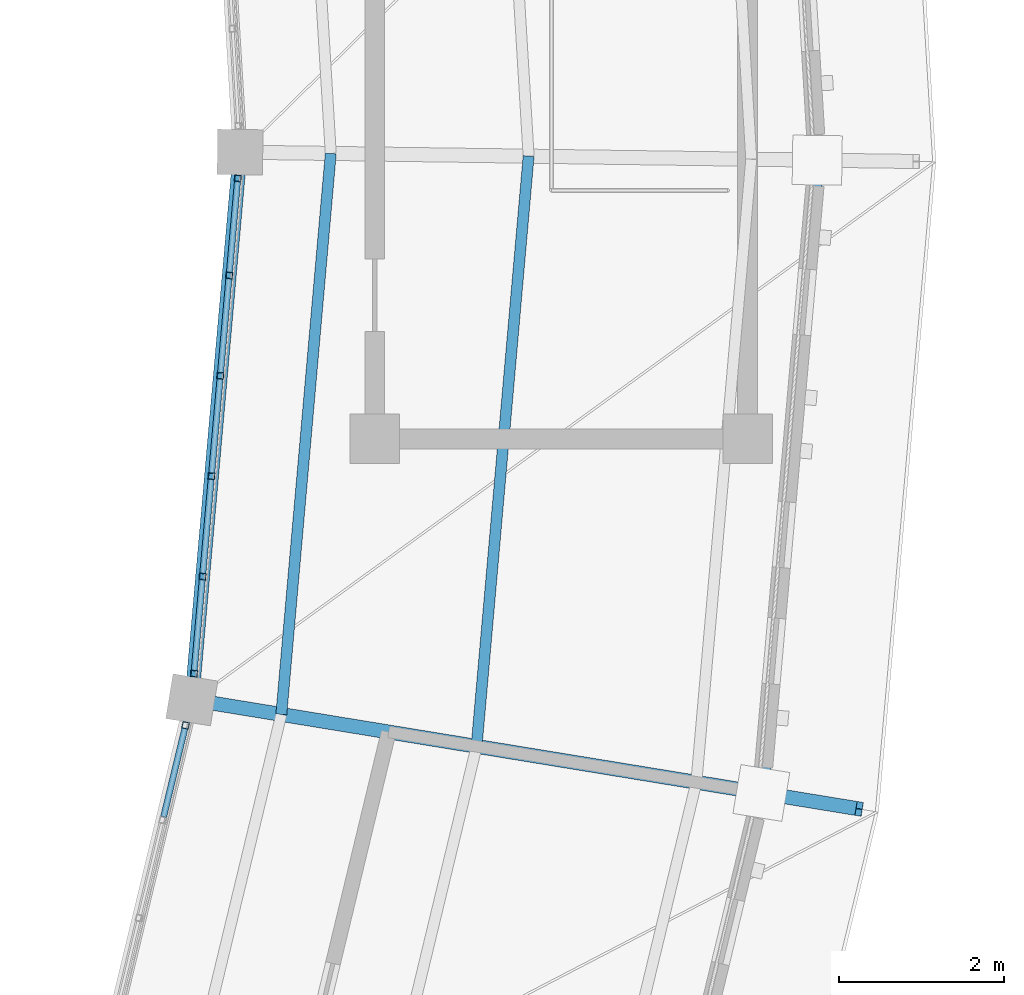
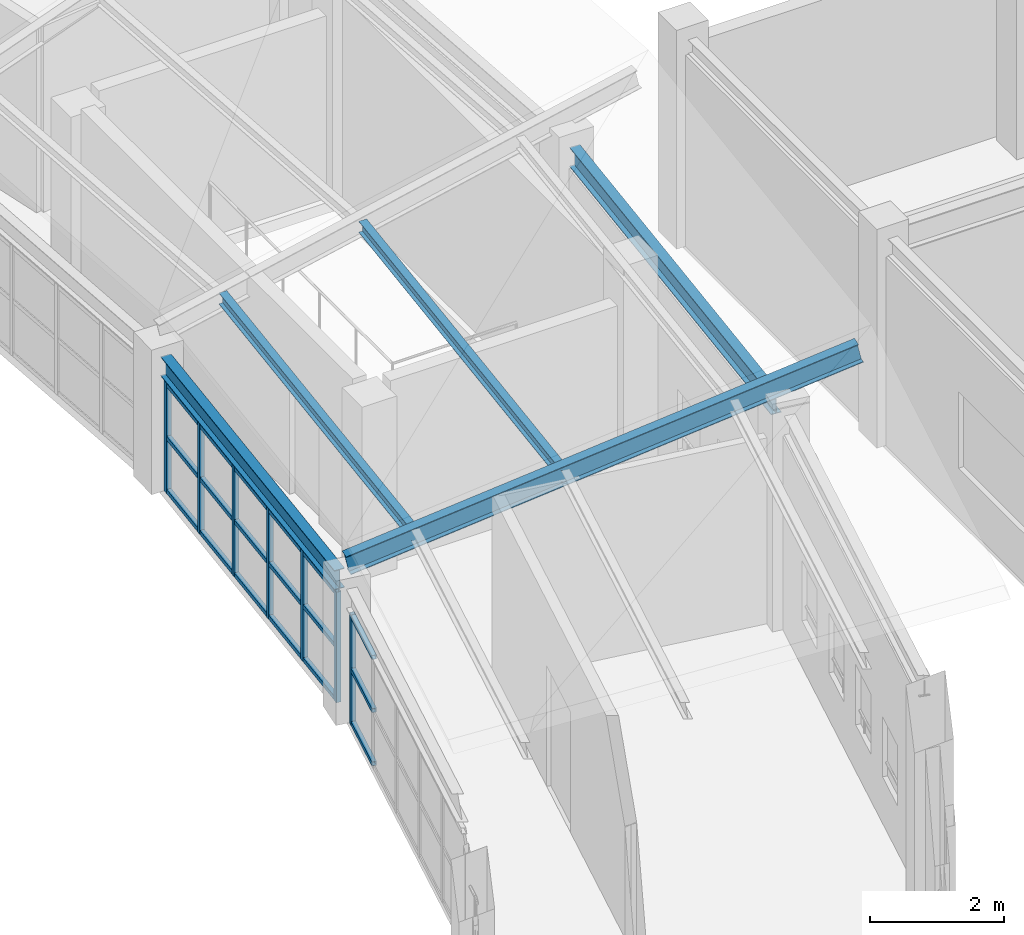
# One storey, part 92 of 149: 28 members, 2 beams, 2 elements without a shape of their own.
"""IFC4 building model written with IfcOpenShell, lengths in metres."""

from ifc_helpers import new_model, si_unit, direction, frame, origin, origin_2d, place, context, subcontext, project, spatial, hollow_rectangle, i_section, extrude, material, material_profile, profile_set, type_object, element, aggregate, save


model = new_model("IFC4")

# Units and contexts
model_context = context("Model", 3, precision=1e-05, world=origin(), true_north=direction((0.0, 1.0)))
body_context = subcontext(model_context, "Body", "Model", "MODEL_VIEW")
ifc_project = project(units=[si_unit("LENGTHUNIT", "METRE"), si_unit("AREAUNIT", "SQUARE_METRE"), si_unit("VOLUMEUNIT", "CUBIC_METRE"), si_unit("PLANEANGLEUNIT", "RADIAN"), si_unit("MASSUNIT", "GRAM", prefix="KILO")], contexts=[model_context])

# Site, building, storey
site_placement = place(None, origin())
site = spatial("IfcSite", under=ifc_project, at=site_placement, CompositionType="ELEMENT")
building_placement = place(site_placement, origin())
building = spatial("IfcBuilding", under=site, at=building_placement, Name="Celadon Cloister-Ring School", CompositionType="ELEMENT")
storey_placement = place(building_placement, frame((0.0, 0.0, 12.5)))
storey = spatial("IfcBuildingStorey", under=building, at=storey_placement, Name="L03", CompositionType="ELEMENT", Elevation=12.5)

# Curtain wall, member
ifc_material_1 = material(Name="Aluminium EN AW-6063 T6", Category="aluminium")
curtain_wall_type = type_object("IfcCurtainWallType", Name="CW-02", PredefinedType="USERDEFINED", material=ifc_material_1)
curtain_wall_1_placement = place(storey_placement, origin())
curtain_wall_1 = element("IfcCurtainWall", 1, at=curtain_wall_1_placement, inside=storey, type_object=curtain_wall_type, Name="Curtain Wall 0070", ObjectType="CURTAIN WALL", PredefinedType="USERDEFINED")
ifc_material_2 = material(Name="Aluminium EN AW-6063 T6", Category="aluminium")
ifc_material_profile_1 = material_profile(ifc_material_2, hollow_rectangle(XDim=0.080078125, YDim=0.080078125, WallThickness=0.00390625, at=origin_2d()), Name="RHS80X80X4")
ifc_profile_set_1 = profile_set([ifc_material_profile_1], Name="Aluminium EN AW-6063 T6")
member_type_1 = type_object("IfcMemberType", Name="CM-03", PredefinedType="MULLION", material=ifc_profile_set_1)
member_1_placement = place(storey_placement, frame((131.335693359375, 51.427001953125, 0.0), z_axis=(0.0, 0.0, 1.0), x_axis=(-0.972214668757, 0.234091088797, 0.0)))
member_1 = element("IfcMember", 2, at=member_1_placement, type_object=member_type_1, Name="CW-02 mullion 6", PredefinedType="MULLION", context=body_context, shape_type="SweptSolid", body=[
    extrude(hollow_rectangle(XDim=0.080078125, YDim=0.080078125, WallThickness=0.00390625, at=origin_2d()), origin(), (0.0, 0.0, 1.0), 2.02001953125),
])

# Curtain wall, members
curtain_wall_2_placement = place(storey_placement, origin())
curtain_wall_2 = element("IfcCurtainWall", 3, at=curtain_wall_2_placement, inside=storey, type_object=curtain_wall_type, Name="Curtain Wall 0071", ObjectType="CURTAIN WALL", PredefinedType="USERDEFINED")
member_2_placement = place(storey_placement, frame((131.4375, 52.054931640625, 0.0), z_axis=(0.0, 0.0, 1.0), x_axis=(-0.996114237179, 0.088070576756, 0.0)))
member_2 = element("IfcMember", 4, at=member_2_placement, type_object=member_type_1, Name="CW-02 mullion 1", PredefinedType="MULLION", context=body_context, shape_type="SweptSolid", body=[
    extrude(hollow_rectangle(XDim=0.080078125, YDim=0.080078125, WallThickness=0.00390625, at=origin_2d()), origin(), (0.0, 0.0, 1.0), 2.02001953125),
])
member_3_placement = place(storey_placement, frame((131.54150390625, 53.23193359375, 0.0), z_axis=(0.0, 0.0, 1.0), x_axis=(-0.996114237179, 0.088070576756, 0.0)))
member_3 = element("IfcMember", 5, at=member_3_placement, type_object=member_type_1, Name="CW-02 mullion 2", PredefinedType="MULLION", context=body_context, shape_type="SweptSolid", body=[
    extrude(hollow_rectangle(XDim=0.080078125, YDim=0.080078125, WallThickness=0.00390625, at=origin_2d()), origin(), (0.0, 0.0, 1.0), 2.02001953125),
])
member_4_placement = place(storey_placement, frame((131.649169921875, 54.448974609375, 0.0), z_axis=(0.0, 0.0, 1.0), x_axis=(-0.996114237179, 0.088070576756, 0.0)))
member_4 = element("IfcMember", 6, at=member_4_placement, type_object=member_type_1, Name="CW-02 mullion 3", PredefinedType="MULLION", context=body_context, shape_type="SweptSolid", body=[
    extrude(hollow_rectangle(XDim=0.080078125, YDim=0.080078125, WallThickness=0.00390625, at=origin_2d()), origin(), (0.0, 0.0, 1.0), 2.02001953125),
])
member_5_placement = place(storey_placement, frame((131.7568359375, 55.666015625, 0.0), z_axis=(0.0, 0.0, 1.0), x_axis=(-0.996114237179, 0.088070576756, 0.0)))
member_5 = element("IfcMember", 7, at=member_5_placement, type_object=member_type_1, Name="CW-02 mullion 4", PredefinedType="MULLION", context=body_context, shape_type="SweptSolid", body=[
    extrude(hollow_rectangle(XDim=0.080078125, YDim=0.080078125, WallThickness=0.00390625, at=origin_2d()), origin(), (0.0, 0.0, 1.0), 2.02001953125),
])
member_6_placement = place(storey_placement, frame((131.864501953125, 56.883056640625, 0.0), z_axis=(0.0, 0.0, 1.0), x_axis=(-0.996114237179, 0.088070576756, 0.0)))
member_6 = element("IfcMember", 8, at=member_6_placement, type_object=member_type_1, Name="CW-02 mullion 5", PredefinedType="MULLION", context=body_context, shape_type="SweptSolid", body=[
    extrude(hollow_rectangle(XDim=0.080078125, YDim=0.080078125, WallThickness=0.00390625, at=origin_2d()), origin(), (0.0, 0.0, 1.0), 2.02001953125),
])
member_7_placement = place(storey_placement, frame((131.968505859375, 58.06005859375, 0.0), z_axis=(0.0, 0.0, 1.0), x_axis=(-0.996114237179, 0.088070576756, 0.0)))
member_7 = element("IfcMember", 9, at=member_7_placement, type_object=member_type_1, Name="CW-02 mullion 6", PredefinedType="MULLION", context=body_context, shape_type="SweptSolid", body=[
    extrude(hollow_rectangle(XDim=0.080078125, YDim=0.080078125, WallThickness=0.00390625, at=origin_2d()), origin(), (0.0, 0.0, 1.0), 2.02001953125),
])

# Member
ifc_material_3 = material(Name="Aluminium EN AW-6063 T6", Category="aluminium")
ifc_material_profile_2 = material_profile(ifc_material_3, hollow_rectangle(XDim=0.074951171875, YDim=0.074951171875, WallThickness=0.00390625, at=origin_2d()), Name="RHS75X75X4")
ifc_profile_set_2 = profile_set([ifc_material_profile_2], Name="Aluminium EN AW-6063 T6")
member_type_2 = type_object("IfcMemberType", Name="CTM-03", PredefinedType="USERDEFINED", material=ifc_profile_set_2)
member_8_placement = place(storey_placement, frame((131.068359375, 50.317138671875, 0.03759765625), z_axis=(0.234026684216, 0.972230173917, 0.0), x_axis=(-0.972230173917, 0.234026684216, 0.0)))
member_8 = element("IfcMember", 10, at=member_8_placement, type_object=member_type_2, Name="CW-02 transom 5.1", ObjectType="TRANSOM", PredefinedType="USERDEFINED", context=body_context, shape_type="SweptSolid", body=[
    extrude(hollow_rectangle(XDim=0.074951171875, YDim=0.074951171875, WallThickness=0.00390625, at=origin_2d()), origin(), (0.0, 0.0, 1.0), 1.1015625),
])

member_9_placement = place(storey_placement, frame((131.068359375, 50.317138671875, 1.010009765625), z_axis=(0.234026684216, 0.972230173917, 0.0), x_axis=(-0.972230173917, 0.234026684216, 0.0)))
member_9 = element("IfcMember", 11, at=member_9_placement, type_object=member_type_2, Name="CW-02 transom 5.2", ObjectType="TRANSOM", PredefinedType="USERDEFINED", context=body_context, shape_type="SweptSolid", body=[
    extrude(hollow_rectangle(XDim=0.074951171875, YDim=0.074951171875, WallThickness=0.00390625, at=origin_2d()), origin(), (0.0, 0.0, 1.0), 1.1015625),
])

member_10_placement = place(storey_placement, frame((131.068359375, 50.317138671875, 1.982421875), z_axis=(0.234026684216, 0.972230173917, 0.0), x_axis=(-0.972230173917, 0.234026684216, 0.0)))
member_10 = element("IfcMember", 12, at=member_10_placement, type_object=member_type_2, Name="CW-02 transom 5.3", ObjectType="TRANSOM", PredefinedType="USERDEFINED", context=body_context, shape_type="SweptSolid", body=[
    extrude(hollow_rectangle(XDim=0.074951171875, YDim=0.074951171875, WallThickness=0.00390625, at=origin_2d()), origin(), (0.0, 0.0, 1.0), 1.1015625),
])

aggregate(curtain_wall_1, [member_1, member_8, member_9, member_10])

member_11_placement = place(storey_placement, frame((131.441162109375, 52.0947265625, 0.03759765625), z_axis=(0.087977887401, 0.996122427881, 0.0), x_axis=(-0.996122427881, 0.087977887401, 0.0)))
member_11 = element("IfcMember", 13, at=member_11_placement, type_object=member_type_2, Name="CW-02 transom 1.1", ObjectType="TRANSOM", PredefinedType="USERDEFINED", context=body_context, shape_type="SweptSolid", body=[
    extrude(hollow_rectangle(XDim=0.074951171875, YDim=0.074951171875, WallThickness=0.00390625, at=origin_2d()), origin(), (0.0, 0.0, 1.0), 1.1015625),
])

member_12_placement = place(storey_placement, frame((131.441162109375, 52.0947265625, 1.010009765625), z_axis=(0.087977887401, 0.996122427881, 0.0), x_axis=(-0.996122427881, 0.087977887401, 0.0)))
member_12 = element("IfcMember", 14, at=member_12_placement, type_object=member_type_2, Name="CW-02 transom 1.2", ObjectType="TRANSOM", PredefinedType="USERDEFINED", context=body_context, shape_type="SweptSolid", body=[
    extrude(hollow_rectangle(XDim=0.074951171875, YDim=0.074951171875, WallThickness=0.00390625, at=origin_2d()), origin(), (0.0, 0.0, 1.0), 1.1015625),
])

member_13_placement = place(storey_placement, frame((131.441162109375, 52.0947265625, 1.982421875), z_axis=(0.087977887401, 0.996122427881, 0.0), x_axis=(-0.996122427881, 0.087977887401, 0.0)))
member_13 = element("IfcMember", 15, at=member_13_placement, type_object=member_type_2, Name="CW-02 transom 1.3", ObjectType="TRANSOM", PredefinedType="USERDEFINED", context=body_context, shape_type="SweptSolid", body=[
    extrude(hollow_rectangle(XDim=0.074951171875, YDim=0.074951171875, WallThickness=0.00390625, at=origin_2d()), origin(), (0.0, 0.0, 1.0), 1.1015625),
])

member_14_placement = place(storey_placement, frame((131.545166015625, 53.271728515625, 0.03759765625), z_axis=(0.0880872416, 0.99611276363, 0.0), x_axis=(-0.99611276363, 0.0880872416, 0.0)))
member_14 = element("IfcMember", 16, at=member_14_placement, type_object=member_type_2, Name="CW-02 transom 2.1", ObjectType="TRANSOM", PredefinedType="USERDEFINED", context=body_context, shape_type="SweptSolid", body=[
    extrude(hollow_rectangle(XDim=0.074951171875, YDim=0.074951171875, WallThickness=0.00390625, at=origin_2d()), origin(), (0.0, 0.0, 1.0), 1.141845703125),
])

member_15_placement = place(storey_placement, frame((131.545166015625, 53.271728515625, 1.010009765625), z_axis=(0.0880872416, 0.99611276363, 0.0), x_axis=(-0.99611276363, 0.0880872416, 0.0)))
member_15 = element("IfcMember", 17, at=member_15_placement, type_object=member_type_2, Name="CW-02 transom 2.2", ObjectType="TRANSOM", PredefinedType="USERDEFINED", context=body_context, shape_type="SweptSolid", body=[
    extrude(hollow_rectangle(XDim=0.074951171875, YDim=0.074951171875, WallThickness=0.00390625, at=origin_2d()), origin(), (0.0, 0.0, 1.0), 1.141845703125),
])

member_16_placement = place(storey_placement, frame((131.545166015625, 53.271728515625, 1.982421875), z_axis=(0.0880872416, 0.99611276363, 0.0), x_axis=(-0.99611276363, 0.0880872416, 0.0)))
member_16 = element("IfcMember", 18, at=member_16_placement, type_object=member_type_2, Name="CW-02 transom 2.3", ObjectType="TRANSOM", PredefinedType="USERDEFINED", context=body_context, shape_type="SweptSolid", body=[
    extrude(hollow_rectangle(XDim=0.074951171875, YDim=0.074951171875, WallThickness=0.00390625, at=origin_2d()), origin(), (0.0, 0.0, 1.0), 1.141845703125),
])

member_17_placement = place(storey_placement, frame((131.65283203125, 54.48876953125, 0.03759765625), z_axis=(0.08787509061, 0.996131501585, 0.0), x_axis=(-0.996131501585, 0.08787509061, 0.0)))
member_17 = element("IfcMember", 19, at=member_17_placement, type_object=member_type_2, Name="CW-02 transom 3.1", ObjectType="TRANSOM", PredefinedType="USERDEFINED", context=body_context, shape_type="SweptSolid", body=[
    extrude(hollow_rectangle(XDim=0.074951171875, YDim=0.074951171875, WallThickness=0.00390625, at=origin_2d()), origin(), (0.0, 0.0, 1.0), 1.141845703125),
])

member_18_placement = place(storey_placement, frame((131.65283203125, 54.48876953125, 1.010009765625), z_axis=(0.08787509061, 0.996131501585, 0.0), x_axis=(-0.996131501585, 0.08787509061, 0.0)))
member_18 = element("IfcMember", 20, at=member_18_placement, type_object=member_type_2, Name="CW-02 transom 3.2", ObjectType="TRANSOM", PredefinedType="USERDEFINED", context=body_context, shape_type="SweptSolid", body=[
    extrude(hollow_rectangle(XDim=0.074951171875, YDim=0.074951171875, WallThickness=0.00390625, at=origin_2d()), origin(), (0.0, 0.0, 1.0), 1.141845703125),
])

member_19_placement = place(storey_placement, frame((131.65283203125, 54.48876953125, 1.982421875), z_axis=(0.08787509061, 0.996131501585, 0.0), x_axis=(-0.996131501585, 0.08787509061, 0.0)))
member_19 = element("IfcMember", 21, at=member_19_placement, type_object=member_type_2, Name="CW-02 transom 3.3", ObjectType="TRANSOM", PredefinedType="USERDEFINED", context=body_context, shape_type="SweptSolid", body=[
    extrude(hollow_rectangle(XDim=0.074951171875, YDim=0.074951171875, WallThickness=0.00390625, at=origin_2d()), origin(), (0.0, 0.0, 1.0), 1.141845703125),
])

member_20_placement = place(storey_placement, frame((131.76025390625, 55.705810546875, 0.03759765625), z_axis=(0.0880872416, 0.99611276363, 0.0), x_axis=(-0.99611276363, 0.0880872416, 0.0)))
member_20 = element("IfcMember", 22, at=member_20_placement, type_object=member_type_2, Name="CW-02 transom 4.1", ObjectType="TRANSOM", PredefinedType="USERDEFINED", context=body_context, shape_type="SweptSolid", body=[
    extrude(hollow_rectangle(XDim=0.074951171875, YDim=0.074951171875, WallThickness=0.00390625, at=origin_2d()), origin(), (0.0, 0.0, 1.0), 1.141845703125),
])

member_21_placement = place(storey_placement, frame((131.76025390625, 55.705810546875, 1.010009765625), z_axis=(0.0880872416, 0.99611276363, 0.0), x_axis=(-0.99611276363, 0.0880872416, 0.0)))
member_21 = element("IfcMember", 23, at=member_21_placement, type_object=member_type_2, Name="CW-02 transom 4.2", ObjectType="TRANSOM", PredefinedType="USERDEFINED", context=body_context, shape_type="SweptSolid", body=[
    extrude(hollow_rectangle(XDim=0.074951171875, YDim=0.074951171875, WallThickness=0.00390625, at=origin_2d()), origin(), (0.0, 0.0, 1.0), 1.141845703125),
])

member_22_placement = place(storey_placement, frame((131.76025390625, 55.705810546875, 1.982421875), z_axis=(0.0880872416, 0.99611276363, 0.0), x_axis=(-0.99611276363, 0.0880872416, 0.0)))
member_22 = element("IfcMember", 24, at=member_22_placement, type_object=member_type_2, Name="CW-02 transom 4.3", ObjectType="TRANSOM", PredefinedType="USERDEFINED", context=body_context, shape_type="SweptSolid", body=[
    extrude(hollow_rectangle(XDim=0.074951171875, YDim=0.074951171875, WallThickness=0.00390625, at=origin_2d()), origin(), (0.0, 0.0, 1.0), 1.141845703125),
])

member_23_placement = place(storey_placement, frame((131.867919921875, 56.9228515625, 0.03759765625), z_axis=(0.087977887401, 0.996122427881, 0.0), x_axis=(-0.996122427881, 0.087977887401, 0.0)))
member_23 = element("IfcMember", 25, at=member_23_placement, type_object=member_type_2, Name="CW-02 transom 5.1", ObjectType="TRANSOM", PredefinedType="USERDEFINED", context=body_context, shape_type="SweptSolid", body=[
    extrude(hollow_rectangle(XDim=0.074951171875, YDim=0.074951171875, WallThickness=0.00390625, at=origin_2d()), origin(), (0.0, 0.0, 1.0), 1.1015625),
])

member_24_placement = place(storey_placement, frame((131.867919921875, 56.9228515625, 1.010009765625), z_axis=(0.087977887401, 0.996122427881, 0.0), x_axis=(-0.996122427881, 0.087977887401, 0.0)))
member_24 = element("IfcMember", 26, at=member_24_placement, type_object=member_type_2, Name="CW-02 transom 5.2", ObjectType="TRANSOM", PredefinedType="USERDEFINED", context=body_context, shape_type="SweptSolid", body=[
    extrude(hollow_rectangle(XDim=0.074951171875, YDim=0.074951171875, WallThickness=0.00390625, at=origin_2d()), origin(), (0.0, 0.0, 1.0), 1.1015625),
])

member_25_placement = place(storey_placement, frame((131.867919921875, 56.9228515625, 1.982421875), z_axis=(0.087977887401, 0.996122427881, 0.0), x_axis=(-0.996122427881, 0.087977887401, 0.0)))
member_25 = element("IfcMember", 27, at=member_25_placement, type_object=member_type_2, Name="CW-02 transom 5.3", ObjectType="TRANSOM", PredefinedType="USERDEFINED", context=body_context, shape_type="SweptSolid", body=[
    extrude(hollow_rectangle(XDim=0.074951171875, YDim=0.074951171875, WallThickness=0.00390625, at=origin_2d()), origin(), (0.0, 0.0, 1.0), 1.1015625),
])

aggregate(curtain_wall_2, [member_2, member_3, member_4, member_5, member_6, member_7, member_11, member_12, member_13, member_14, member_15, member_16, member_17, member_18, member_19, member_20, member_21, member_22, member_23, member_24, member_25])

# Beam
ifc_material_4 = material(Name="Structural steel S355JR", Category="steel")
ifc_material_profile_3 = material_profile(ifc_material_4, i_section(OverallWidth=0.1708984375, OverallDepth=0.35498046875, WebThickness=0.007080078125, FlangeThickness=0.01171875, at=origin_2d()), Name="W360X51")
ifc_profile_set_3 = profile_set([ifc_material_profile_3], Name="Structural steel S355JR")
beam_type_1 = type_object("IfcBeamType", Name="GT-08", PredefinedType="USERDEFINED", material=ifc_profile_set_3)
beam_1_placement = place(storey_placement, frame((131.431884765625, 51.986083984375, 2.27197265625), z_axis=(0.087929628242, 0.996126688969, 0.0), x_axis=(-0.996126688969, 0.087929628242, 0.0)))
element("IfcBeam", 28, at=beam_1_placement, inside=storey, type_object=beam_type_1, Name="Beam 0576", ObjectType="GIRDER", PredefinedType="USERDEFINED", context=body_context, shape_type="SweptSolid", body=[
    extrude(i_section(OverallWidth=0.1708984375, OverallDepth=0.35498046875, WebThickness=0.007080078125, FlangeThickness=0.01171875, at=origin_2d()), origin(), (0.0, 0.0, 1.0), 6.166748046875),
])

# Members
ifc_material_5 = material(Name="Structural steel S355JR", Category="steel")
ifc_material_profile_4 = material_profile(ifc_material_5, i_section(OverallWidth=0.133056640625, OverallDepth=0.20703125, WebThickness=0.005859375, FlangeThickness=0.00830078125, at=origin_2d()), Name="W200X27")
ifc_profile_set_4 = profile_set([ifc_material_profile_4], Name="Structural steel S355JR")
member_type_3 = type_object("IfcMemberType", Name="MP-04", PredefinedType="PURLIN", material=ifc_profile_set_4)
member_26_placement = place(storey_placement, frame((132.49609375, 51.56005859375, 2.970947265625), z_axis=(0.087834341632, 0.996135095472, 0.0), x_axis=(-0.996135095472, 0.087834341632, 0.0)))
element("IfcMember", 29, at=member_26_placement, inside=storey, type_object=member_type_3, Name="Structural Member 0216", PredefinedType="PURLIN", context=body_context, shape_type="SweptSolid", body=[
    extrude(i_section(OverallWidth=0.133056640625, OverallDepth=0.20703125, WebThickness=0.005859375, FlangeThickness=0.00830078125, at=origin_2d()), origin(), (0.0, 0.0, 1.0), 6.829345703125),
])
member_27_placement = place(storey_placement, frame((134.864013671875, 51.172119140625, 3.4599609375), z_axis=(0.087827375069, 0.996135709725, 0.0), x_axis=(-0.996135709725, 0.087827375069, 0.0)))
element("IfcMember", 30, at=member_27_placement, inside=storey, type_object=member_type_3, Name="Structural Member 0217", PredefinedType="PURLIN", context=body_context, shape_type="SweptSolid", body=[
    extrude(i_section(OverallWidth=0.133056640625, OverallDepth=0.20703125, WebThickness=0.005859375, FlangeThickness=0.00830078125, at=origin_2d()), origin(), (0.0, 0.0, 1.0), 7.185791015625),
])
ifc_material_6 = material(Name="Structural steel S355JR", Category="steel")
ifc_material_profile_5 = material_profile(ifc_material_6, i_section(OverallWidth=0.1708984375, OverallDepth=0.35498046875, WebThickness=0.007080078125, FlangeThickness=0.01171875, at=origin_2d()), Name="W360X51")
ifc_profile_set_5 = profile_set([ifc_material_profile_5], Name="Structural steel S355JR")
member_type_4 = type_object("IfcMemberType", Name="MR-05", PredefinedType="RAFTER", material=ifc_profile_set_5)
member_28_placement = place(storey_placement, frame((131.409912109375, 51.737060546875, 2.72607421875), z_axis=(0.962580350061, -0.157356871006, 0.220630652501), x_axis=(0.161332518988, 0.986900105541, 0.0)))
element("IfcMember", 31, at=member_28_placement, inside=storey, type_object=member_type_4, Name="Structural Member 0056", PredefinedType="RAFTER", context=body_context, shape_type="SweptSolid", body=[
    extrude(i_section(OverallWidth=0.1708984375, OverallDepth=0.35498046875, WebThickness=0.007080078125, FlangeThickness=0.01171875, at=origin_2d()), origin(), (0.0, 0.0, 1.0), 8.40771484375),
])

# Beam
ifc_material_7 = material(Name="Structural steel S355JR", Category="steel")
ifc_material_profile_6 = material_profile(ifc_material_7, i_section(OverallWidth=0.1708984375, OverallDepth=0.35498046875, WebThickness=0.007080078125, FlangeThickness=0.01171875, at=origin_2d()), Name="W360X51")
ifc_profile_set_6 = profile_set([ifc_material_profile_6], Name="Structural steel S355JR")
beam_type_2 = type_object("IfcBeamType", Name="SP-04", PredefinedType="SPANDREL", material=ifc_profile_set_6)
beam_2_placement = place(storey_placement, frame((138.342041015625, 50.881103515625, 3.722900390625), z_axis=(0.087913730485, 0.996128092161, 0.0), x_axis=(-0.996128092161, 0.087913730485, 0.0)))
element("IfcBeam", 32, at=beam_2_placement, inside=storey, type_object=beam_type_2, Name="Beam 0575", PredefinedType="SPANDREL", context=body_context, shape_type="SweptSolid", body=[
    extrude(i_section(OverallWidth=0.1708984375, OverallDepth=0.35498046875, WebThickness=0.007080078125, FlangeThickness=0.01171875, at=origin_2d()), origin(), (0.0, 0.0, 1.0), 7.153564453125),
])

save(model, "model.ifc")
